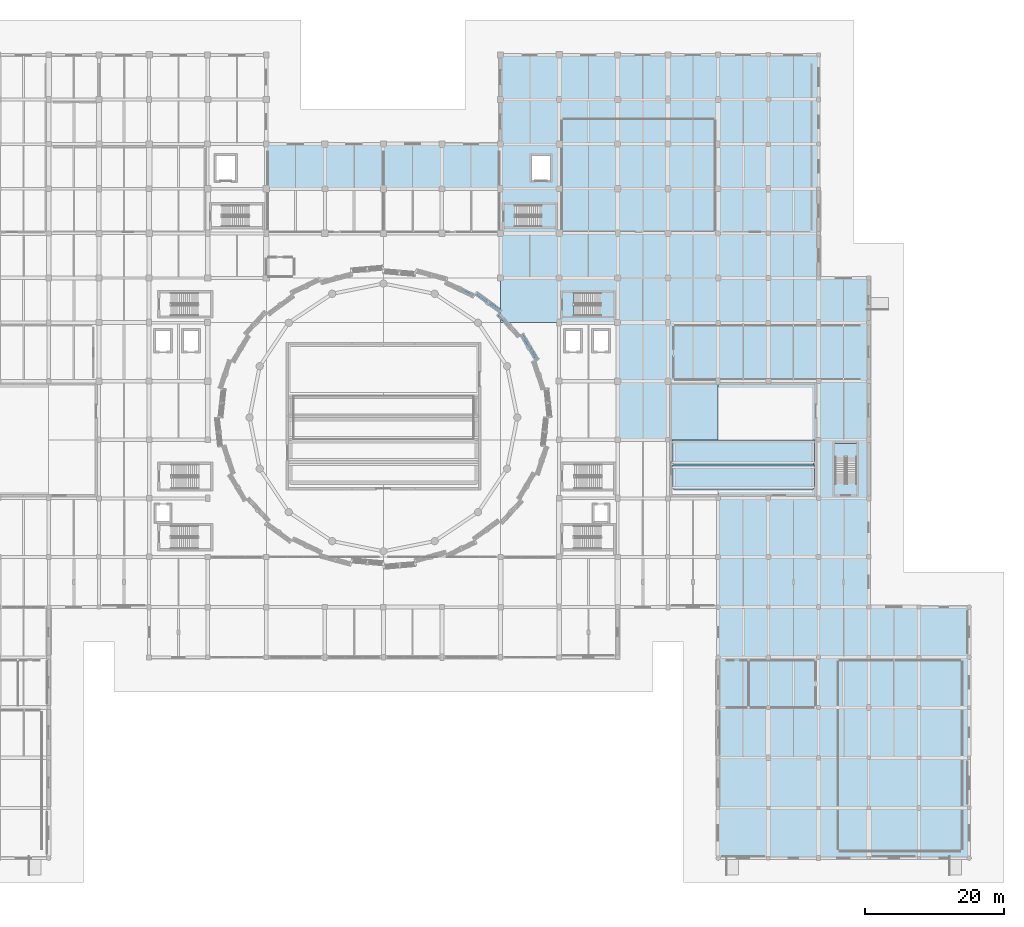
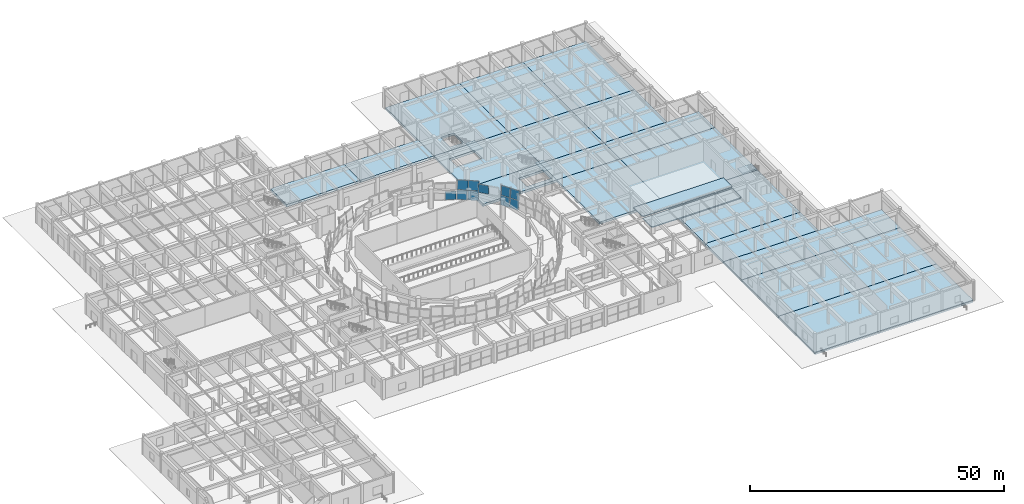
# One storey, part 44 of 72: 23 slabs, 10 plates, 7 elements without a shape of their own.
"""IFC4 building model written with IfcOpenShell, lengths in metres."""

from ifc_helpers import new_model, si_unit, direction, frame, origin, place, context, subcontext, project, spatial, polyline, outline, extrude, material, layer, layer_set, type_object, element, aggregate, save


model = new_model("IFC4")

# Units and contexts
model_context = context("Model", 3, precision=1e-05, world=origin(), true_north=direction((0.0, 1.0)))
body_context = subcontext(model_context, "Body", "Model", "MODEL_VIEW")
ifc_project = project(units=[si_unit("LENGTHUNIT", "METRE"), si_unit("AREAUNIT", "SQUARE_METRE"), si_unit("VOLUMEUNIT", "CUBIC_METRE"), si_unit("PLANEANGLEUNIT", "RADIAN"), si_unit("MASSUNIT", "GRAM", prefix="KILO")], contexts=[model_context])

# Site, building, storey
site_placement = place(None, origin())
site = spatial("IfcSite", under=ifc_project, at=site_placement, CompositionType="ELEMENT")
building_placement = place(site_placement, origin())
building = spatial("IfcBuilding", under=site, at=building_placement, Name="Korsvaeld Concert Hall", CompositionType="ELEMENT")
storey_placement = place(building_placement, origin())
storey = spatial("IfcBuildingStorey", under=building, at=storey_placement, Name="L00", CompositionType="ELEMENT", Elevation=0.0)

# Curtain wall, plates
ifc_material_1 = material(Name="Anodised bronze and ceramic-fritted safety glass", Category="glass")
curtain_wall_type_1 = type_object("IfcCurtainWallType", Name="CW-TYPE-03", PredefinedType="USERDEFINED", material=ifc_material_1)
curtain_wall_1_placement = place(storey_placement, origin())
curtain_wall_1 = element("IfcCurtainWall", 1, at=curtain_wall_1_placement, inside=storey, type_object=curtain_wall_type_1, Name="Crystal curtain-wall facet L00 F03", ObjectType="CURTAIN WALL", PredefinedType="USERDEFINED")
ifc_material_2 = material(Name="Translucent ceramic-fritted crystal safety glass", Category="glass")
ifc_layer_1 = layer(ifc_material_2, 0.035888671875)
ifc_layer_set_1 = layer_set([ifc_layer_1], Name="Translucent ceramic-fritted crystal safety glass")
plate_type = type_object("IfcPlateType", Name="CWP-CRYSTAL-36", PredefinedType="CURTAIN_PANEL", material=ifc_layer_set_1)
plate_1_placement = place(storey_placement, frame((105.771484375, 71.38037109375, 0.06005859375), z_axis=(0.853878744405, 0.508123905426, -0.11269954121), x_axis=(-0.511381861684, 0.859353589357, 0.0)))
plate_1 = element("IfcPlate", 2, at=plate_1_placement, type_object=plate_type, Name="CW-CRYS-L00-F03 ceramic-fritted crystal panel 1.1", PredefinedType="CURTAIN_PANEL", context=body_context, shape_type="SweptSolid", body=[
    extrude(outline(polyline([(0.0, 0.0), (2.0199366887482033, -2.7755575615628914e-17), (1.998127668928639, 2.1636869496700144), (-0.021809019819564346, 2.1636869496700144), (0.0, 0.0)])), frame((0.0, 0.0, 0.01806640625)), (0.0, 0.0, -1.0), 0.035888671875),
])
plate_2_placement = place(storey_placement, frame((105.998291015625, 71.4892578125, 2.27001953125), z_axis=(0.853931751964, 0.508023945533, -0.112748542132), x_axis=(-0.511283553939, 0.859412082437, 5.818193e-06)))
plate_2 = element("IfcPlate", 3, at=plate_2_placement, type_object=plate_type, Name="CW-CRYS-L00-F03 ceramic-fritted crystal panel 1.2", PredefinedType="CURTAIN_PANEL", context=body_context, shape_type="SweptSolid", body=[
    extrude(outline(polyline([(0.0, 0.0), (2.020021667814245, 2.7755575615628914e-17), (1.9982530511210745, 2.1636873540276493), (-0.021893441779581163, 2.163711011355571), (0.0, 0.0)])), frame((0.0, 0.0, 0.01806640625)), (0.0, 0.0, -1.0), 0.035888671875),
])
plate_3_placement = place(storey_placement, frame((104.7001953125, 73.1806640625, 0.06005859375), z_axis=(0.85389163974, 0.508095848075, -0.112728331628), x_axis=(-0.511355642648, 0.859369191163, -3.461394e-06)))
plate_3 = element("IfcPlate", 4, at=plate_3_placement, type_object=plate_type, Name="CW-CRYS-L00-F03 ceramic-fritted crystal panel 2.1", PredefinedType="CURTAIN_PANEL", context=body_context, shape_type="SweptSolid", body=[
    extrude(outline(polyline([(0.0, 0.0), (2.0199366877959695, -2.7755575615628914e-17), (1.9983374729930923, 2.163701022791072), (-0.021809021734313386, 2.163686948761746), (0.0, 0.0)])), frame((0.0, 0.0, 0.01806640625)), (0.0, 0.0, -1.0), 0.035888671875),
])
plate_4_placement = place(storey_placement, frame((104.927001953125, 73.28955078125, 2.27001953125), z_axis=(0.853913307203, 0.508048695046, -0.1127767141), x_axis=(-0.511309769492, 0.859396485643, 9.281934e-06)))
plate_4 = element("IfcPlate", 5, at=plate_4_placement, type_object=plate_type, Name="CW-CRYS-L00-F03 ceramic-fritted crystal panel 2.2", PredefinedType="CURTAIN_PANEL", context=body_context, shape_type="SweptSolid", body=[
    extrude(outline(polyline([(0.0, 0.0), (2.0200216636620993, 1.3877787807814457e-17), (1.998253055228475, 2.1636873502342984), (-0.021683626325188613, 2.1637250896232527), (0.0, 0.0)])), frame((0.0, 0.0, 0.01806640625)), (0.0, 0.0, -1.0), 0.035888671875),
])
aggregate(curtain_wall_1, [plate_1, plate_2, plate_3, plate_4])

# Curtain wall, plate
curtain_wall_type_2 = type_object("IfcCurtainWallType", Name="CW-TYPE-04", PredefinedType="USERDEFINED", material=ifc_material_1)
curtain_wall_2_placement = place(storey_placement, origin())
curtain_wall_2 = element("IfcCurtainWall", 6, at=curtain_wall_2_placement, inside=storey, type_object=curtain_wall_type_2, Name="Crystal curtain-wall facet L00 F04", ObjectType="CURTAIN WALL", PredefinedType="USERDEFINED")
plate_5_placement = place(storey_placement, frame((101.921630859375, 76.45849609375, 2.27001953125), z_axis=(0.73361368372, 0.670181584615, 0.112550462912), x_axis=(-0.674466768859, 0.738305206324, -4.462485e-06)))
plate_5 = element("IfcPlate", 7, at=plate_5_placement, type_object=plate_type, Name="CW-CRYS-L00-F04 ceramic-fritted crystal panel 2.2", PredefinedType="CURTAIN_PANEL", context=body_context, shape_type="SweptSolid", body=[
    extrude(outline(polyline([(0.0, 0.0), (2.0633508471575874, 0.0), (2.088796521683534, 2.163659535929988), (0.025625924820459365, 2.163641003636698), (0.0, 0.0)])), frame((0.0, 0.0, 0.01806640625)), (0.0, 0.0, -1.0), 0.035888671875),
])
aggregate(curtain_wall_2, [plate_5])

# Curtain wall, plates
curtain_wall_type_3 = type_object("IfcCurtainWallType", Name="CW-TYPE-05", PredefinedType="USERDEFINED", material=ifc_material_1)
curtain_wall_3_placement = place(storey_placement, origin())
curtain_wall_3 = element("IfcCurtainWall", 8, at=curtain_wall_3_placement, inside=storey, type_object=curtain_wall_type_3, Name="Crystal curtain-wall facet L00 F05", ObjectType="CURTAIN WALL", PredefinedType="USERDEFINED")
plate_6_placement = place(storey_placement, frame((100.6318359375, 78.240234375, 0.06005859375), z_axis=(0.589628541717, 0.799782920515, -0.112629760032), x_axis=(-0.804904507896, 0.593404358906, 0.0)))
plate_6 = element("IfcPlate", 9, at=plate_6_placement, type_object=plate_type, Name="CW-CRYS-L00-F05 ceramic-fritted crystal panel 1.1", PredefinedType="CURTAIN_PANEL", context=body_context, shape_type="SweptSolid", body=[
    extrude(outline(polyline([(0.0, 0.0), (2.1089579558479716, 0.0), (2.083272476869437, 2.1636697204112654), (-0.02568547897853471, 2.1636697204112654), (0.0, 0.0)])), frame((0.0, 0.0, 0.01806640625)), (0.0, 0.0, -1.0), 0.035888671875),
])
plate_7_placement = place(storey_placement, frame((100.8017578125, 78.42626953125, 2.27001953125), z_axis=(0.589634570875, 0.799791098574, -0.112540088284), x_axis=(-0.804904507896, 0.593404358906, 0.0)))
plate_7 = element("IfcPlate", 10, at=plate_7_placement, type_object=plate_type, Name="CW-CRYS-L00-F05 ceramic-fritted crystal panel 1.2", PredefinedType="CURTAIN_PANEL", context=body_context, shape_type="SweptSolid", body=[
    extrude(outline(polyline([(0.0, 0.0), (2.1089579558479716, 0.0), (2.083127602758376, 2.1636475963602004), (-0.025830353089595817, 2.1636475963602004), (0.0, 0.0)])), frame((0.0, 0.0, 0.01806640625)), (0.0, 0.0, -1.0), 0.035888671875),
])
plate_8_placement = place(storey_placement, frame((98.8740234375, 79.5361328125, 0.06005859375), z_axis=(0.589668779693, 0.799759489945, -0.112585471969), x_axis=(-0.804876511231, 0.593442332195, 5.211396e-06)))
plate_8 = element("IfcPlate", 11, at=plate_8_placement, type_object=plate_type, Name="CW-CRYS-L00-F05 ceramic-fritted crystal panel 2.1", PredefinedType="CURTAIN_PANEL", context=body_context, shape_type="SweptSolid", body=[
    extrude(outline(polyline([(0.0, 0.0), (2.1091028368541744, 1.3877787807814457e-17), (2.0832951755436864, 2.1636478649407533), (-0.025662777928604222, 2.163669987579644), (0.0, 0.0)])), frame((0.0, 0.0, 0.01806640625)), (0.0, 0.0, -1.0), 0.035888671875),
])
plate_9_placement = place(storey_placement, frame((99.0439453125, 79.72216796875, 2.27001953125), z_axis=(0.589603322114, 0.799806223238, -0.112596304659), x_axis=(-0.804925146667, 0.593376363068, -3.842251e-06)))
plate_9 = element("IfcPlate", 12, at=plate_9_placement, type_object=plate_type, Name="CW-CRYS-L00-F05 ceramic-fritted crystal panel 2.2", PredefinedType="CURTAIN_PANEL", context=body_context, shape_type="SweptSolid", body=[
    extrude(outline(polyline([(0.0, 0.0), (2.1091544694851594, 0.0), (2.0834522541233937, 2.1636695204675545), (-0.02550570043338004, 2.163653209697853), (0.0, 0.0)])), frame((0.0, 0.0, 0.01806640625)), (0.0, 0.0, -1.0), 0.035888671875),
])
aggregate(curtain_wall_3, [plate_6, plate_7, plate_8, plate_9])

# Curtain wall, plate
curtain_wall_type_4 = type_object("IfcCurtainWallType", Name="CW-TYPE-06", PredefinedType="USERDEFINED", material=ifc_material_1)
curtain_wall_4_placement = place(storey_placement, origin())
curtain_wall_4 = element("IfcCurtainWall", 13, at=curtain_wall_4_placement, inside=storey, type_object=curtain_wall_type_4, Name="Crystal curtain-wall facet L00 F06", ObjectType="CURTAIN WALL", PredefinedType="USERDEFINED")
plate_10_placement = place(storey_placement, frame((97.040283203125, 80.853759765625, 0.06005859375), z_axis=(0.43008915634, 0.895713547893, 0.11278544995), x_axis=(-0.901465188347, 0.432851607557, -5.734693e-06)))
plate_10 = element("IfcPlate", 14, at=plate_10_placement, type_object=plate_type, Name="CW-CRYS-L00-F06 ceramic-fritted crystal panel 1.1", PredefinedType="CURTAIN_PANEL", context=body_context, shape_type="SweptSolid", body=[
    extrude(outline(polyline([(0.0, 0.0), (2.1504142517319753, 1.3877787807814457e-17), (2.17210619621362, 2.163720712498894), (0.02179762114364631, 2.1636958907971233), (0.0, 0.0)])), frame((0.0, 0.0, 0.01806640625)), (0.0, 0.0, -1.0), 0.035888671875),
])
aggregate(curtain_wall_4, [plate_10])

# Slabs
ifc_material_3 = material(Name="Concrete C35/45", Category="concrete")
ifc_layer_2 = layer(ifc_material_3, 0.550048828125)
ifc_layer_set_2 = layer_set([ifc_layer_2], Name="Concrete C35/45")
slab_type_1 = type_object("IfcSlabType", Name="SLB-GND-550", PredefinedType="BASESLAB", material=ifc_layer_set_2)
slab_1_placement = place(storey_placement, frame((0.0, 0.0, -0.550048828125)))
element("IfcSlab", 15, at=slab_1_placement, inside=storey, type_object=slab_type_1, Name="Structural slab L00 V4_SE 1.1", PredefinedType="BASESLAB", context=body_context, shape_type="SweptSolid", body=[
    extrude(outline(polyline([(132.0, 0.0), (132.0, 14.39990234375), (168.0, 14.39990234375), (168.0, 0.0), (132.0, 0.0)])), origin(), (0.0, 0.0, 1.0), 0.550048828125),
])
slab_2_placement = place(storey_placement, frame((0.0, 0.0, -0.550048828125)))
element("IfcSlab", 16, at=slab_2_placement, inside=storey, type_object=slab_type_1, Name="Structural slab L00 V4_SE 1.2", PredefinedType="BASESLAB", context=body_context, shape_type="SweptSolid", body=[
    extrude(outline(polyline([(132.0, 14.39990234375), (132.0, 28.800048828125), (168.0, 28.800048828125), (168.0, 14.39990234375), (132.0, 14.39990234375)])), origin(), (0.0, 0.0, 1.0), 0.550048828125),
])
slab_3_placement = place(storey_placement, frame((0.0, 0.0, -0.550048828125)))
element("IfcSlab", 17, at=slab_3_placement, inside=storey, type_object=slab_type_1, Name="Structural slab L00 V4_SE 1.3", PredefinedType="BASESLAB", context=body_context, shape_type="SweptSolid", body=[
    extrude(outline(polyline([(132.0, 28.800048828125), (132.0, 36.0), (168.0, 36.0), (168.0, 28.800048828125), (132.0, 28.800048828125)])), origin(), (0.0, 0.0, 1.0), 0.550048828125),
])
slab_4_placement = place(storey_placement, frame((0.0, 0.0, -0.550048828125)))
element("IfcSlab", 18, at=slab_4_placement, inside=storey, type_object=slab_type_1, Name="Structural slab L00 V4_PASS_E 2.1", PredefinedType="BASESLAB", context=body_context, shape_type="SweptSolid", body=[
    extrude(outline(polyline([(132.0, 36.0), (132.0, 43.199951171875), (153.60009765625, 43.199951171875), (153.60009765625, 36.0), (132.0, 36.0)])), origin(), (0.0, 0.0, 1.0), 0.550048828125),
])
slab_5_placement = place(storey_placement, frame((0.0, 0.0, -0.550048828125)))
element("IfcSlab", 19, at=slab_5_placement, inside=storey, type_object=slab_type_1, Name="Structural slab L00 V1_L00 4.3", PredefinedType="BASESLAB", context=body_context, shape_type="SweptSolid", body=[
    extrude(outline(polyline([(100.800048828125, 76.800048828125), (100.800048828125, 83.199951171875), (117.60009765625, 83.199951171875), (117.60009765625, 76.800048828125), (100.800048828125, 76.800048828125)]), holes=[polyline([(117.0048828125, 77.794921875), (117.0048828125, 81.044921875), (111.344970703125, 81.044921875), (111.344970703125, 77.794921875), (117.0048828125, 77.794921875)])]), origin(), (0.0, 0.0, 1.0), 0.550048828125),
])
slab_6_placement = place(storey_placement, frame((0.0, 0.0, -0.550048828125)))
element("IfcSlab", 20, at=slab_6_placement, inside=storey, type_object=slab_type_1, Name="Structural slab L00 V2_L00 1.2", PredefinedType="BASESLAB", context=body_context, shape_type="SweptSolid", body=[
    extrude(outline(polyline([(117.60009765625, 60.0), (117.60009765625, 76.800048828125), (132.0, 76.800048828125), (132.0, 60.0), (117.60009765625, 60.0)])), origin(), (0.0, 0.0, 1.0), 0.550048828125),
])
slab_7_placement = place(storey_placement, frame((0.0, 0.0, -0.550048828125)))
element("IfcSlab", 21, at=slab_7_placement, inside=storey, type_object=slab_type_1, Name="Structural slab L00 V2_L00 1.3", PredefinedType="BASESLAB", context=body_context, shape_type="SweptSolid", body=[
    extrude(outline(polyline([(117.60009765625, 76.800048828125), (117.60009765625, 83.199951171875), (132.0, 83.199951171875), (132.0, 76.800048828125), (117.60009765625, 76.800048828125)])), origin(), (0.0, 0.0, 1.0), 0.550048828125),
])
slab_8_placement = place(storey_placement, frame((0.0, 0.0, -0.550048828125)))
element("IfcSlab", 22, at=slab_8_placement, inside=storey, type_object=slab_type_1, Name="Structural slab L00 V2_L00 2.1", PredefinedType="BASESLAB", context=body_context, shape_type="SweptSolid", body=[
    extrude(outline(polyline([(132.0, 43.199951171875), (132.0, 60.0), (153.60009765625, 60.0), (153.60009765625, 43.199951171875), (132.0, 43.199951171875)])), origin(), (0.0, 0.0, 1.0), 0.550048828125),
])
slab_9_placement = place(storey_placement, frame((0.0, 0.0, -0.550048828125)))
element("IfcSlab", 23, at=slab_9_placement, inside=storey, type_object=slab_type_1, Name="Structural slab L00 V2_L00 2.2", PredefinedType="BASESLAB", context=body_context, shape_type="SweptSolid", body=[
    extrude(outline(polyline([(132.0, 60.0), (132.0, 76.800048828125), (153.60009765625, 76.800048828125), (153.60009765625, 60.0), (132.0, 60.0)])), origin(), (0.0, 0.0, 1.0), 0.550048828125),
])
slab_10_placement = place(storey_placement, frame((0.0, 0.0, -0.550048828125)))
element("IfcSlab", 24, at=slab_10_placement, inside=storey, type_object=slab_type_1, Name="Structural slab L00 V2_L00 2.3", PredefinedType="BASESLAB", context=body_context, shape_type="SweptSolid", body=[
    extrude(outline(polyline([(132.0, 76.800048828125), (132.0, 83.199951171875), (153.60009765625, 83.199951171875), (153.60009765625, 76.800048828125), (132.0, 76.800048828125)])), origin(), (0.0, 0.0, 1.0), 0.550048828125),
])
slab_11_placement = place(storey_placement, frame((0.0, 0.0, -0.550048828125)))
element("IfcSlab", 25, at=slab_11_placement, inside=storey, type_object=slab_type_1, Name="Structural slab L00 V5_L00_C 1.2", PredefinedType="BASESLAB", context=body_context, shape_type="SweptSolid", body=[
    extrude(outline(polyline([(67.199951171875, 96.0), (67.199951171875, 102.39990234375), (84.0, 102.39990234375), (84.0, 96.0), (67.199951171875, 96.0)])), origin(), (0.0, 0.0, 1.0), 0.550048828125),
])
slab_12_placement = place(storey_placement, frame((0.0, 0.0, -0.550048828125)))
element("IfcSlab", 26, at=slab_12_placement, inside=storey, type_object=slab_type_1, Name="Structural slab L00 V5_L00_C 2.2", PredefinedType="BASESLAB", context=body_context, shape_type="SweptSolid", body=[
    extrude(outline(polyline([(84.0, 96.0), (84.0, 102.39990234375), (100.800048828125, 102.39990234375), (100.800048828125, 96.0), (84.0, 96.0)])), origin(), (0.0, 0.0, 1.0), 0.550048828125),
])
slab_13_placement = place(storey_placement, frame((0.0, 0.0, -0.550048828125)))
element("IfcSlab", 27, at=slab_13_placement, inside=storey, type_object=slab_type_1, Name="Structural slab L00 V5_L00_E 1.1", PredefinedType="BASESLAB", context=body_context, shape_type="SweptSolid", body=[
    extrude(outline(polyline([(100.800048828125, 83.199951171875), (100.800048828125, 96.0), (117.60009765625, 96.0), (117.60009765625, 83.199951171875), (100.800048828125, 83.199951171875)]), holes=[polyline([(108.60498046875, 90.594970703125), (108.60498046875, 93.64501953125), (102.844970703125, 93.64501953125), (102.844970703125, 90.594970703125), (108.60498046875, 90.594970703125)])]), origin(), (0.0, 0.0, 1.0), 0.550048828125),
])
slab_14_placement = place(storey_placement, frame((0.0, 0.0, -0.550048828125)))
element("IfcSlab", 28, at=slab_14_placement, inside=storey, type_object=slab_type_1, Name="Structural slab L00 V5_L00_E 1.2", PredefinedType="BASESLAB", context=body_context, shape_type="SweptSolid", body=[
    extrude(outline(polyline([(100.800048828125, 96.0), (100.800048828125, 115.199951171875), (117.60009765625, 115.199951171875), (117.60009765625, 96.0), (100.800048828125, 96.0)]), holes=[polyline([(108.10009765625, 100.89990234375), (105.10009765625, 100.89990234375), (105.10009765625, 97.10009765625), (108.10009765625, 97.10009765625), (108.10009765625, 100.89990234375)])]), origin(), (0.0, 0.0, 1.0), 0.550048828125),
])
slab_15_placement = place(storey_placement, frame((0.0, 0.0, -0.550048828125)))
element("IfcSlab", 29, at=slab_15_placement, inside=storey, type_object=slab_type_1, Name="Structural slab L00 V5_L00_E 2.1", PredefinedType="BASESLAB", context=body_context, shape_type="SweptSolid", body=[
    extrude(outline(polyline([(117.60009765625, 83.199951171875), (117.60009765625, 96.0), (132.0, 96.0), (132.0, 83.199951171875), (117.60009765625, 83.199951171875)])), origin(), (0.0, 0.0, 1.0), 0.550048828125),
])
slab_16_placement = place(storey_placement, frame((0.0, 0.0, -0.550048828125)))
element("IfcSlab", 30, at=slab_16_placement, inside=storey, type_object=slab_type_1, Name="Structural slab L00 V5_L00_E 2.2", PredefinedType="BASESLAB", context=body_context, shape_type="SweptSolid", body=[
    extrude(outline(polyline([(117.60009765625, 96.0), (117.60009765625, 115.199951171875), (132.0, 115.199951171875), (132.0, 96.0), (117.60009765625, 96.0)])), origin(), (0.0, 0.0, 1.0), 0.550048828125),
])
slab_17_placement = place(storey_placement, frame((0.0, 0.0, -0.550048828125)))
element("IfcSlab", 31, at=slab_17_placement, inside=storey, type_object=slab_type_1, Name="Structural slab L00 V5_L00_E 3.1", PredefinedType="BASESLAB", context=body_context, shape_type="SweptSolid", body=[
    extrude(outline(polyline([(132.0, 83.199951171875), (132.0, 96.0), (146.39990234375, 96.0), (146.39990234375, 83.199951171875), (132.0, 83.199951171875)])), origin(), (0.0, 0.0, 1.0), 0.550048828125),
])
slab_18_placement = place(storey_placement, frame((0.0, 0.0, -0.550048828125)))
element("IfcSlab", 32, at=slab_18_placement, inside=storey, type_object=slab_type_1, Name="Structural slab L00 V5_L00_E 3.2", PredefinedType="BASESLAB", context=body_context, shape_type="SweptSolid", body=[
    extrude(outline(polyline([(132.0, 96.0), (132.0, 115.199951171875), (146.39990234375, 115.199951171875), (146.39990234375, 96.0), (132.0, 96.0)])), origin(), (0.0, 0.0, 1.0), 0.550048828125),
])

# Stair, slab
ifc_material_4 = material(Name="Precast concrete C40/50", Category="concrete")
stair_type_1 = type_object("IfcStairType", Name="STR-HT-155-48", PredefinedType="HALF_TURN_STAIR", material=ifc_material_4)
stair_1_placement = place(storey_placement, origin())
stair_1 = element("IfcStair", 33, at=stair_1_placement, inside=storey, type_object=stair_type_1, Name="L00 ST-K2", PredefinedType="HALF_TURN_STAIR")
ifc_layer_3 = layer(ifc_material_4, 0.179931640625)
ifc_layer_set_3 = layer_set([ifc_layer_3], Name="Precast concrete C40/50")
slab_type_2 = type_object("IfcSlabType", Name="SLB-LANDING-180", PredefinedType="LANDING", material=ifc_layer_set_3)
slab_19_placement = place(storey_placement, frame((0.0, 0.0, 2.219970703125)))
slab_19 = element("IfcSlab", 34, at=slab_19_placement, type_object=slab_type_2, Name="ST-K2 landing 1", PredefinedType="LANDING", context=body_context, shape_type="SweptSolid", body=[
    extrude(outline(polyline([(115.159912109375, 77.7099609375), (115.159912109375, 81.1298828125), (117.090087890625, 81.1298828125), (117.090087890625, 77.7099609375), (115.159912109375, 77.7099609375)])), origin(), (0.0, 0.0, 1.0), 0.179931640625),
])
aggregate(stair_1, [slab_19])

stair_type_2 = type_object("IfcStairType", Name="STR-HT-145-48", PredefinedType="HALF_TURN_STAIR", material=ifc_material_4)
stair_2_placement = place(storey_placement, origin())
stair_2 = element("IfcStair", 35, at=stair_2_placement, inside=storey, type_object=stair_type_2, Name="L00 ST-K6", PredefinedType="HALF_TURN_STAIR")
slab_20_placement = place(storey_placement, frame((0.0, 0.0, 2.219970703125)))
slab_20 = element("IfcSlab", 36, at=slab_20_placement, type_object=slab_type_2, Name="ST-K6 landing 1", PredefinedType="LANDING", context=body_context, shape_type="SweptSolid", body=[
    extrude(outline(polyline([(106.659912109375, 90.510009765625), (106.659912109375, 93.72998046875), (108.68994140625, 93.72998046875), (108.68994140625, 90.510009765625), (106.659912109375, 90.510009765625)])), origin(), (0.0, 0.0, 1.0), 0.179931640625),
])
aggregate(stair_2, [slab_20])

stair_3_placement = place(storey_placement, origin())
stair_3 = element("IfcStair", 37, at=stair_3_placement, inside=storey, type_object=stair_type_2, Name="L00 ST-F4", PredefinedType="HALF_TURN_STAIR")
slab_21_placement = place(storey_placement, frame((0.0, 0.0, 2.219970703125)))
slab_21 = element("IfcSlab", 38, at=slab_21_placement, type_object=slab_type_2, Name="ST-F4 landing 1", PredefinedType="LANDING", context=body_context, shape_type="SweptSolid", body=[
    extrude(outline(polyline([(151.929931640625, 57.4599609375), (148.7099609375, 57.4599609375), (148.7099609375, 59.489990234375), (151.929931640625, 59.489990234375), (151.929931640625, 57.4599609375)])), origin(), (0.0, 0.0, 1.0), 0.179931640625),
])
aggregate(stair_3, [slab_21])

# Slabs
ifc_layer_4 = layer(ifc_material_4, 0.199951171875)
ifc_layer_set_4 = layer_set([ifc_layer_4], Name="Precast concrete C40/50")
slab_type_3 = type_object("IfcSlabType", Name="SLB-TIER-200", PredefinedType="USERDEFINED", material=ifc_layer_set_4)
slab_22_placement = place(storey_placement, frame((0.0, 0.0, 0.25)))
element("IfcSlab", 39, at=slab_22_placement, inside=storey, type_object=slab_type_3, Name="Auditorium seating tier V2-STALL-T1", ObjectType="SEATING TIER", PredefinedType="USERDEFINED", context=body_context, shape_type="SweptSolid", body=[
    extrude(outline(polyline([(125.3798828125, 53.10009765625), (125.679931640625, 52.800048828125), (145.52001953125, 52.800048828125), (145.820068359375, 53.10009765625), (145.820068359375, 56.39990234375), (125.3798828125, 56.39990234375), (125.3798828125, 53.10009765625)])), origin(), (0.0, 0.0, 1.0), 0.199951171875),
])
slab_23_placement = place(storey_placement, frame((0.0, 0.0, 0.64990234375)))
element("IfcSlab", 40, at=slab_23_placement, inside=storey, type_object=slab_type_3, Name="Auditorium seating tier V2-STALL-T2", ObjectType="SEATING TIER", PredefinedType="USERDEFINED", context=body_context, shape_type="SweptSolid", body=[
    extrude(outline(polyline([(125.3798828125, 56.699951171875), (125.679931640625, 56.39990234375), (145.52001953125, 56.39990234375), (145.820068359375, 56.699951171875), (145.820068359375, 60.0), (125.3798828125, 60.0), (125.3798828125, 56.699951171875)])), origin(), (0.0, 0.0, 1.0), 0.2001953125),
])

save(model, "model.ifc")
